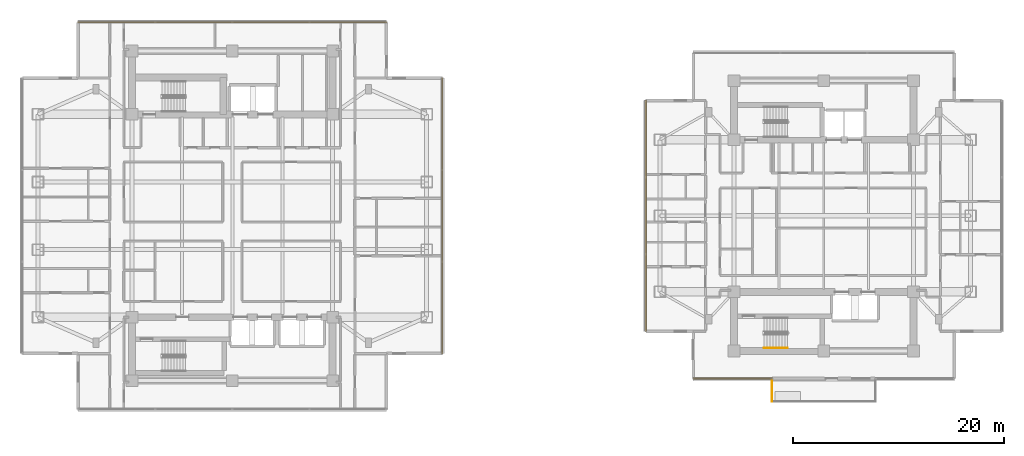
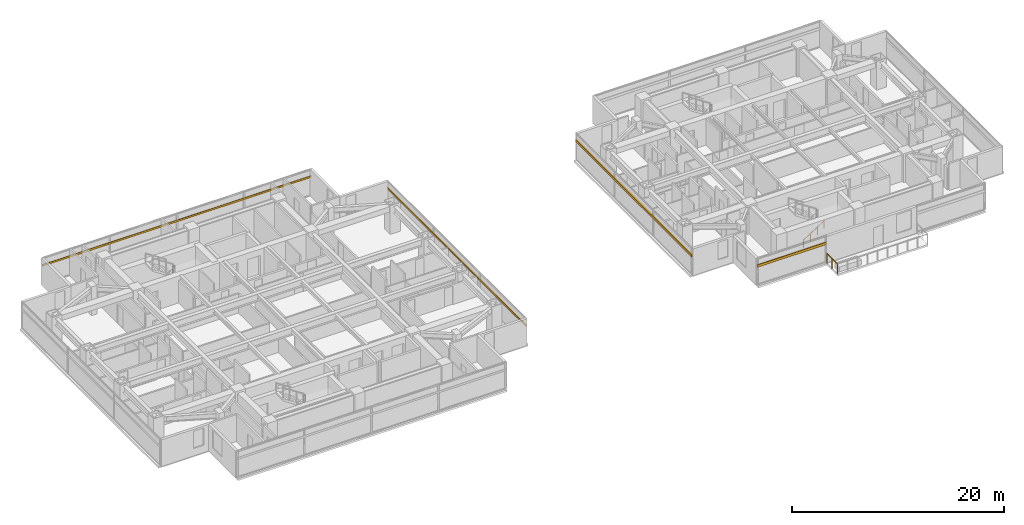
# One storey, part 22 of 24: 4 shading devices, 2 railings.
"""IFC4 building model written with IfcOpenShell, lengths in metres."""

from ifc_helpers import new_model, si_unit, direction, frame, origin, origin_2d, place, context, subcontext, project, spatial, rectangle, circle, extrude, material, material_profile, profile_set, type_object, element, save


model = new_model("IFC4")

# Units and contexts
model_context = context("Model", 3, precision=1e-05, world=origin(), true_north=direction((0.0, 1.0)))
body_context = subcontext(model_context, "Body", "Model", "MODEL_VIEW")
ifc_project = project(units=[si_unit("LENGTHUNIT", "METRE"), si_unit("AREAUNIT", "SQUARE_METRE"), si_unit("VOLUMEUNIT", "CUBIC_METRE"), si_unit("PLANEANGLEUNIT", "RADIAN"), si_unit("MASSUNIT", "GRAM", prefix="KILO")], contexts=[model_context])

# Site, building, storey
site_placement = place(None, origin())
site = spatial("IfcSite", under=ifc_project, at=site_placement, CompositionType="ELEMENT")
building_placement = place(site_placement, origin())
building = spatial("IfcBuilding", under=site, at=building_placement, Name="Mirazonda Arch Towers", CompositionType="ELEMENT")
storey_placement = place(building_placement, frame((0.0, 0.0, 118.10009765625)))
storey = spatial("IfcBuildingStorey", under=building, at=storey_placement, Name="L33", CompositionType="ELEMENT", Elevation=118.10009765625)

# Shading devices
ifc_material_1 = material(Name="Kiln-Fired Architectural Terracotta", Category="masonry")
ifc_material_profile_1 = material_profile(ifc_material_1, rectangle(XDim=0.10009765625, YDim=0.199951171875, at=origin_2d()), Name="TERRA-BAG-100x200")
ifc_profile_set_1 = profile_set([ifc_material_profile_1], Name="Kiln-Fired Architectural Terracotta")
shading_device_type_1 = type_object("IfcShadingDeviceType", Name="BAGUETTE-2", PredefinedType="USERDEFINED", material=ifc_profile_set_1)
shading_device_1_placement = place(storey_placement, frame((40.3798828125, 14.949951171875, 2.203125), z_axis=(0.0, 1.0, 0.0), x_axis=(-1.0, 0.0, 0.0)))
element("IfcShadingDevice", 1, at=shading_device_1_placement, inside=storey, type_object=shading_device_type_1, Name="L33 Glazed Terracotta Sun-Screen Baguette CW-L33-T1-E", ObjectType="BAGUETTE", PredefinedType="USERDEFINED", context=body_context, shape_type="SweptSolid", body=[
    extrude(rectangle(XDim=0.10009765625, YDim=0.199951171875, at=origin_2d()), origin(), (0.0, 0.0, 1.0), 26.10009765625),
])
shading_device_2_placement = place(storey_placement, frame((5.889892578125, 46.320068359375, 2.203125), z_axis=(1.0, 0.0, 0.0), x_axis=(0.0, 1.0, 0.0)))
element("IfcShadingDevice", 2, at=shading_device_2_placement, inside=storey, type_object=shading_device_type_1, Name="L33 Glazed Terracotta Sun-Screen Baguette CW-L33-T1-N", ObjectType="BAGUETTE", PredefinedType="USERDEFINED", context=body_context, shape_type="SweptSolid", body=[
    extrude(rectangle(XDim=0.10009765625, YDim=0.199951171875, at=origin_2d()), origin(), (0.0, 0.0, 1.0), 29.22021484375),
])
ifc_material_profile_2 = material_profile(ifc_material_1, rectangle(XDim=0.139892578125, YDim=0.280029296875, at=origin_2d()), Name="TERRA-BAG-140x280")
ifc_profile_set_2 = profile_set([ifc_material_profile_2], Name="Kiln-Fired Architectural Terracotta")
shading_device_type_2 = type_object("IfcShadingDeviceType", Name="BAGUETTE-3", PredefinedType="USERDEFINED", material=ifc_profile_set_2)
shading_device_3_placement = place(storey_placement, frame((71.610107421875, 12.5810546875, 2.203125), z_axis=(-1.0, 0.0, 0.0), x_axis=(0.0, -1.0, 0.0)))
element("IfcShadingDevice", 3, at=shading_device_3_placement, inside=storey, type_object=shading_device_type_2, Name="L33 Glazed Terracotta Sun-Screen Baguette CW-L33-T2-SB", ObjectType="BAGUETTE", PredefinedType="USERDEFINED", context=body_context, shape_type="SweptSolid", body=[
    extrude(rectangle(XDim=0.139892578125, YDim=0.280029296875, at=origin_2d()), origin(), (0.0, 0.0, 1.0), 7.468505859375),
])
shading_device_4_placement = place(storey_placement, frame((59.655029296875, 38.9326171875, 2.203125), z_axis=(0.0, -1.0, 0.0), x_axis=(1.0, 0.0, 0.0)))
element("IfcShadingDevice", 4, at=shading_device_4_placement, inside=storey, type_object=shading_device_type_2, Name="L33 Glazed Terracotta Sun-Screen Baguette CW-L33-T2-W", ObjectType="BAGUETTE", PredefinedType="USERDEFINED", context=body_context, shape_type="SweptSolid", body=[
    extrude(rectangle(XDim=0.139892578125, YDim=0.280029296875, at=origin_2d()), origin(), (0.0, 0.0, 1.0), 21.865234375),
])

# Railings
ifc_material_2 = material(Name="Architectural Brushed Steel S355", Category="steel")
railing_type_1 = type_object("IfcRailingType", Name="GUARD-EXT-1150", PredefinedType="GUARDRAIL", material=ifc_material_2)
railing_1_placement = place(storey_placement, frame((71.60009765625, 10.410888671875, 0.0)))
element("IfcRailing", 5, at=railing_1_placement, inside=storey, type_object=railing_type_1, Name="L33 T2 Sky-Terrace Guard 03", PredefinedType="GUARDRAIL", context=body_context, shape_type="SweptSolid", body=[
    extrude(circle(Radius=0.02392578125, at=origin_2d()), frame((0.0, 0.0, 1.1259765625), z_axis=(0.0, 1.0, 0.0), x_axis=(-1.0, 0.0, 0.0)), (0.0, 0.0, 1.0), 1.960205078125),
    extrude(circle(Radius=0.02099609375, at=origin_2d()), origin(), (0.0, 0.0, 1.0), 1.101806640625),
    extrude(circle(Radius=0.02099609375, at=origin_2d()), frame((0.0, 0.97998046875, 0.0)), (0.0, 0.0, 1.0), 1.101806640625),
    extrude(circle(Radius=0.02099609375, at=origin_2d()), frame((0.0, 1.960205078125, 0.0)), (0.0, 0.0, 1.0), 1.101806640625),
])
railing_type_2 = type_object("IfcRailingType", Name="HANDRAIL-915", PredefinedType="HANDRAIL", material=ifc_material_2)
railing_2_placement = place(storey_placement, frame((70.85009765625, 15.469970703125, 0.183349609375)))
element("IfcRailing", 6, at=railing_2_placement, inside=storey, type_object=railing_type_2, Name="L33 ST-T2S stair handrail 1", PredefinedType="HANDRAIL", context=body_context, shape_type="SweptSolid", body=[
    extrude(circle(Radius=0.02392578125, at=origin_2d()), frame((0.0, 0.0, 0.8759765625), z_axis=(0.836636935527, 0.0, 0.547757827979), x_axis=(0.0, 1.0, 0.0)), (0.0, 0.0, 1.0), 2.677490234375),
    extrude(circle(Radius=0.02099609375, at=origin_2d()), origin(), (0.0, 0.0, 1.0), 0.851806640625),
    extrude(circle(Radius=0.02099609375, at=origin_2d()), frame((0.74658203125, 0.0, 0.48876953125)), (0.0, 0.0, 1.0), 0.851806640625),
    extrude(circle(Radius=0.02099609375, at=origin_2d()), frame((1.493408203125, 0.0, 0.977783203125)), (0.0, 0.0, 1.0), 0.851806640625),
    extrude(circle(Radius=0.02099609375, at=origin_2d()), frame((2.239990234375, 0.0, 1.466552734375)), (0.0, 0.0, 1.0), 0.851806640625),
])

save(model, "model.ifc")
